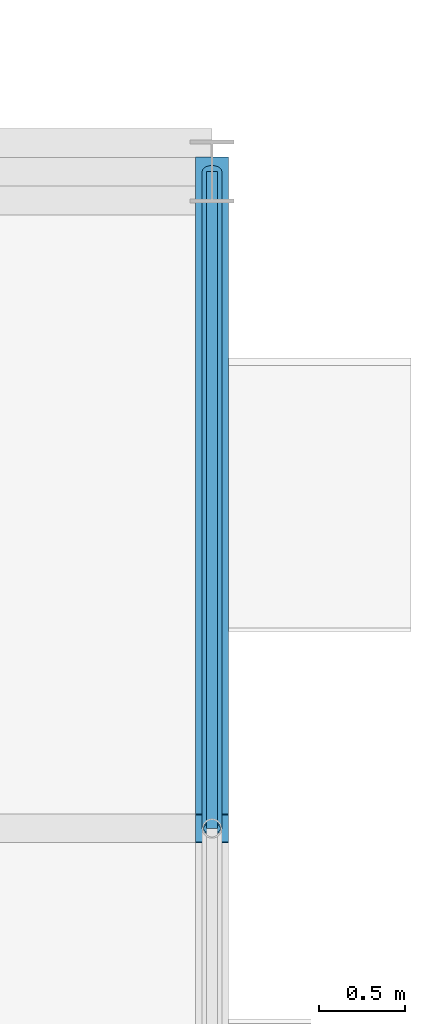
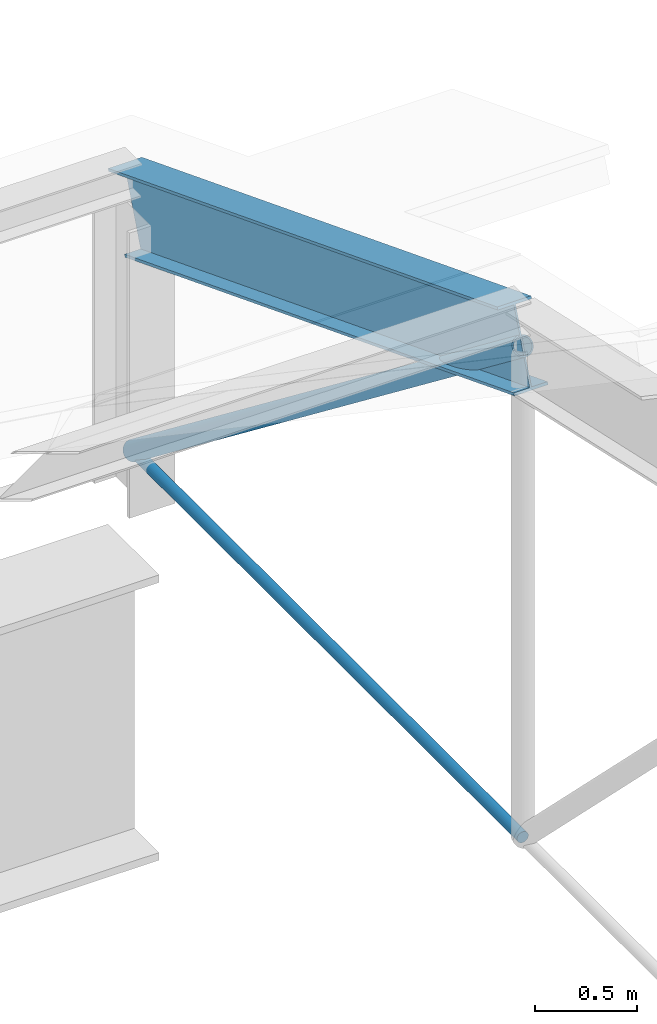
# One storey, part 22 of 53: 2 members, 1 beam.
"""IFC4 building model written with IfcOpenShell, lengths in metres."""

from ifc_helpers import new_model, si_unit, direction, frame, origin_with_axes, origin_2d_with_axis, place, context, subcontext, project, spatial, circle, hollow_circle, i_section, extrude, material, material_profile, profile_set, type_object, element, save


model = new_model("IFC4")

# Units and contexts
model_context = context("Model", 3, precision=1e-05, world=origin_with_axes(), true_north=direction((0.0, 1.0)))
body_context = subcontext(model_context, "Body", "Model", "MODEL_VIEW")
ifc_project = project(units=[si_unit("LENGTHUNIT", "METRE"), si_unit("AREAUNIT", "SQUARE_METRE"), si_unit("VOLUMEUNIT", "CUBIC_METRE"), si_unit("PLANEANGLEUNIT", "RADIAN"), si_unit("MASSUNIT", "GRAM", prefix="KILO"), si_unit("THERMODYNAMICTEMPERATUREUNIT", "KELVIN")], contexts=[model_context])

# Site, building, storey
site_placement = place(None, origin_with_axes())
site = spatial("IfcSite", under=ifc_project, at=site_placement, CompositionType="ELEMENT")
building_placement = place(site_placement, origin_with_axes())
building = spatial("IfcBuilding", under=site, at=building_placement, Name="Montbau Bow Law Courts", CompositionType="ELEMENT")
storey_placement = place(building_placement, frame((0.0, 0.0, 39.0), z_axis=(0.0, 0.0, 1.0), x_axis=(1.0, 0.0, 0.0)))
storey = spatial("IfcBuildingStorey", under=building, at=storey_placement, Name="L08", CompositionType="ELEMENT", Elevation=39.0)

# Beam
ifc_material = material(Name="Steel CSA G40.21 Grade 350WT (350 MPa)", Category="steel")
ifc_material_profile_1 = material_profile(ifc_material, i_section(OverallWidth=0.191, OverallDepth=0.46, WebThickness=0.0099, FlangeThickness=0.016, at=origin_2d_with_axis()), Name="W460X82", Category="Main", Priority=0)
ifc_profile_set_1 = profile_set([ifc_material_profile_1], Name="Steel CSA G40.21 Grade 350WT (350 MPa)")
beam_type = type_object("IfcBeamType", Name="B-ARC-02", PredefinedType="USERDEFINED", material=ifc_profile_set_1)
beam_placement = place(None, frame((105.0, 58.0, 42.178), z_axis=(0.0, 0.931986259, -0.362493603), x_axis=(-1.0, 0.0, 0.0)))
element("IfcBeam", 1, at=beam_placement, inside=storey, type_object=beam_type, Name="Barrel vault roof truss arch rib V3-144", ObjectType="ARCH_RIB", PredefinedType="USERDEFINED", context=body_context, shape_type="SweptSolid", body=[
    extrude(i_section(OverallWidth=0.191, OverallDepth=0.46, WebThickness=0.0099, FlangeThickness=0.016, at=origin_2d_with_axis()), origin_with_axes(), (0.0, 0.0, 1.0), 4.077313),
])

# Members
ifc_material_profile_2 = material_profile(ifc_material, hollow_circle(Radius=0.057, WallThickness=0.008, at=origin_2d_with_axis()), Name="HSS114X8.0", Category="Main", Priority=0)
ifc_profile_set_2 = profile_set([ifc_material_profile_2], Name="Steel CSA G40.21 Grade 350WT (350 MPa)")
member_type_1 = type_object("IfcMemberType", Name="M-STR-03", PredefinedType="STRUT", material=ifc_profile_set_2)
member_1_placement = place(None, frame((105.0, 58.0, 42.178), z_axis=(0.0, 0.792127775, -0.610355296), x_axis=(-1.0, 0.0, 0.0)))
element("IfcMember", 2, at=member_1_placement, inside=storey, type_object=member_type_1, Name="Barrel vault roof truss web diagonal V3-08-6", PredefinedType="STRUT", context=body_context, shape_type="SweptSolid", body=[
    extrude(hollow_circle(Radius=0.057, WallThickness=0.008, at=origin_2d_with_axis()), origin_with_axes(), (0.0, 0.0, 1.0), 4.797206),
])
ifc_material_profile_3 = material_profile(ifc_material, circle(Radius=0.032, at=origin_2d_with_axis()), Name="ROD64", Category="Main", Priority=0)
ifc_profile_set_3 = profile_set([ifc_material_profile_3], Name="Steel CSA G40.21 Grade 350WT (350 MPa)")
member_type_2 = type_object("IfcMemberType", Name="M-TIE-02", PredefinedType="USERDEFINED", material=ifc_profile_set_3)
member_2_placement = place(None, frame((105.0, 58.0, 39.25), z_axis=(0.0, 1.0, 0.0), x_axis=(-1.0, 0.0, 0.0)))
element("IfcMember", 3, at=member_2_placement, inside=storey, type_object=member_type_2, Name="Barrel vault roof truss tie V3-144", ObjectType="TIEBAR", PredefinedType="USERDEFINED", context=body_context, shape_type="SweptSolid", body=[
    extrude(circle(Radius=0.032, at=origin_2d_with_axis()), origin_with_axes(), (0.0, 0.0, 1.0), 3.8),
])

save(model, "model.ifc")
